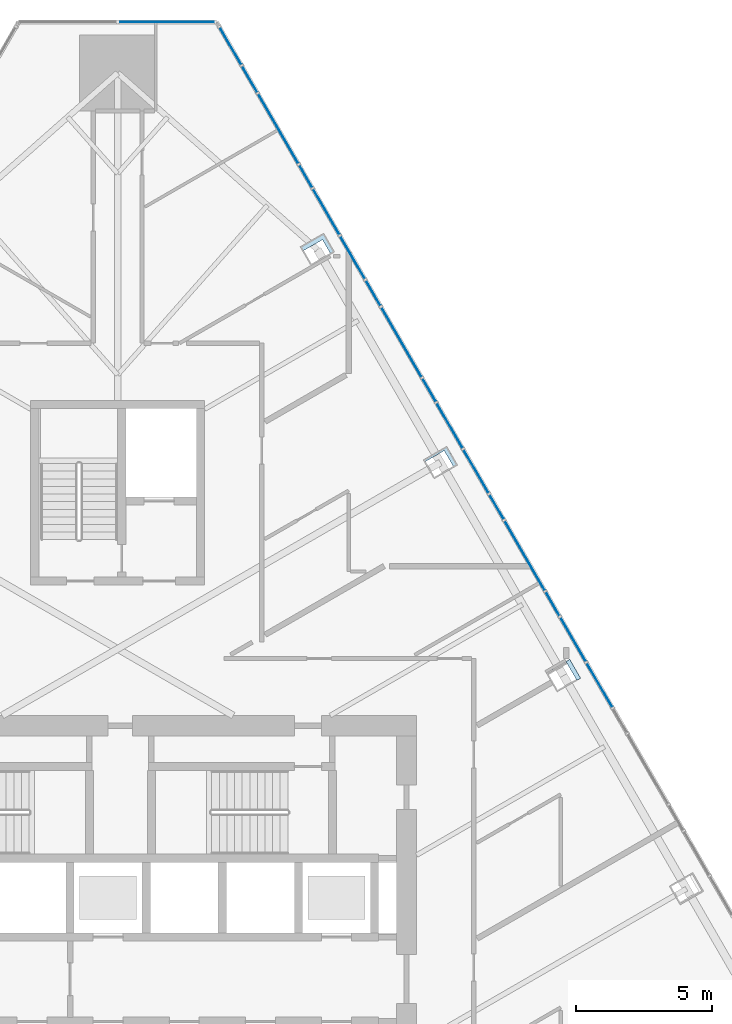
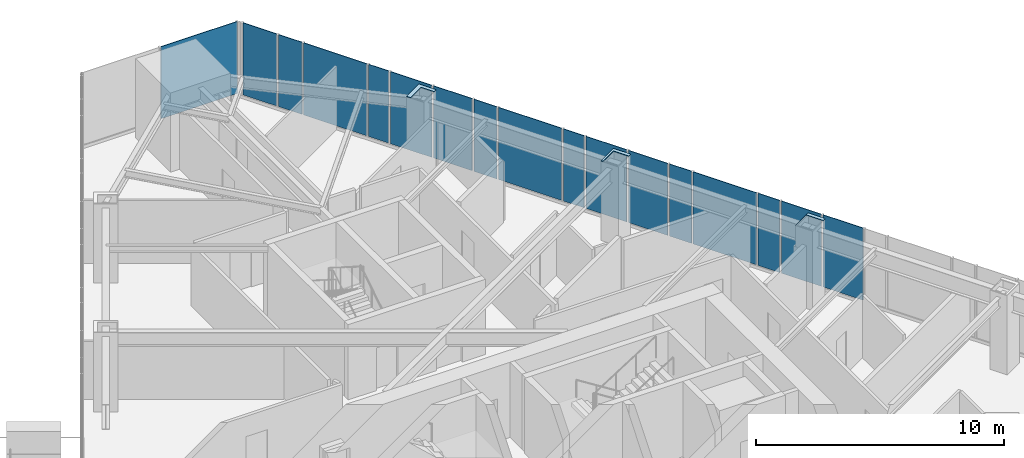
# One storey, part 23 of 32: 20 plates, 2 elements without a shape of their own.
"""IFC4 building model written with IfcOpenShell, lengths in metres."""

from ifc_helpers import new_model, si_unit, direction, frame, origin, place, context, subcontext, project, spatial, polyline, outline, extrude, material, layer, layer_set, type_object, element, aggregate, save


model = new_model("IFC4")

# Units and contexts
model_context = context("Model", 3, precision=1e-05, world=origin(), true_north=direction((0.0, 1.0)))
body_context = subcontext(model_context, "Body", "Model", "MODEL_VIEW")
ifc_project = project(units=[si_unit("LENGTHUNIT", "METRE"), si_unit("AREAUNIT", "SQUARE_METRE"), si_unit("VOLUMEUNIT", "CUBIC_METRE"), si_unit("PLANEANGLEUNIT", "RADIAN"), si_unit("MASSUNIT", "GRAM", prefix="KILO")], contexts=[model_context])

# Site, building, storey
site_placement = place(None, origin())
site = spatial("IfcSite", under=ifc_project, at=site_placement, CompositionType="ELEMENT")
building_placement = place(site_placement, origin())
building = spatial("IfcBuilding", under=site, at=building_placement, Name="Firuza Gate Tower and Library", CompositionType="ELEMENT")
storey_placement = place(building_placement, frame((0.0, 0.0, 163.60009765625)))
storey = spatial("IfcBuildingStorey", under=building, at=storey_placement, Name="L37", CompositionType="ELEMENT", Elevation=163.60009765625)

# Plates
ifc_material_1 = material(Name="Steel S355", Category="steel")
ifc_layer_1 = layer(ifc_material_1, 0.030029296875)
ifc_layer_set_1 = layer_set([ifc_layer_1], Name="Column infill plate 30 Steel S355")
plate_type_1 = type_object("IfcPlateType", Name="Column infill plate 30 Steel S355", PredefinedType="SHEET", material=ifc_layer_set_1)
placement_1 = place(storey_placement, frame((0.0, 0.0, 3.89990234375)))
element("IfcPlate", 1, at=placement_1, inside=storey, type_object=plate_type_1, Name="Infill plate L37:E3", PredefinedType="SHEET", context=body_context, shape_type="SweptSolid", body=[
    extrude(outline(polyline([(90.7685546875, 84.56591796875), (90.7685546875, 84.56591796875), (91.49658203125, 84.986083984375), (91.896484375, 84.293212890625), (92.03466796875, 84.373046875), (91.634521484375, 85.06591796875), (90.7685546875, 84.56591796875)])), origin(), (0.0, 0.0, 1.0), 0.030029296875),
])
element("IfcPlate", 2, at=placement_1, inside=storey, type_object=plate_type_1, Name="Infill plate L37:E4", PredefinedType="SHEET", context=body_context, shape_type="SweptSolid", body=[
    extrude(outline(polyline([(86.241455078125, 92.40673828125), (86.28759765625, 92.3271484375), (87.015625, 92.747314453125), (87.369384765625, 92.13427734375), (87.507568359375, 92.214111328125), (87.107666015625, 92.90673828125), (86.241455078125, 92.40673828125)])), origin(), (0.0, 0.0, 1.0), 0.030029296875),
])
element("IfcPlate", 3, at=placement_1, inside=storey, type_object=plate_type_1, Name="Infill plate L37:E5", PredefinedType="SHEET", context=body_context, shape_type="SweptSolid", body=[
    extrude(outline(polyline([(81.714599609375, 100.247802734375), (81.806640625, 100.08837890625), (82.53466796875, 100.508544921875), (82.842529296875, 99.975341796875), (82.98046875, 100.054931640625), (82.58056640625, 100.747802734375), (81.714599609375, 100.247802734375)])), origin(), (0.0, 0.0, 1.0), 0.030029296875),
])

# Curtain wall, plate
ifc_material_2 = material(Name="Aluminium 6063-T6", Category="aluminium")
ifc_layer_2 = layer(ifc_material_2, 0.14990234375)
ifc_layer_set_2 = layer_set([ifc_layer_2], Name="Corner curtain wall, chamfers")
curtain_wall_type_1 = type_object("IfcCurtainWallType", Name="Corner curtain wall, chamfers", PredefinedType="NOTDEFINED", material=ifc_layer_set_2)
placement_2 = place(storey_placement, origin())
curtain_wall_1 = element("IfcCurtainWall", 4, at=placement_2, inside=storey, type_object=curtain_wall_type_1, Name="CW4 L37 N corner", PredefinedType="NOTDEFINED")
ifc_material_3 = material(Name="Fritted glass", Category="glass")
ifc_layer_3 = layer(ifc_material_3, 0.030029296875)
ifc_layer_set_3 = layer_set([ifc_layer_3], Name="Fritted glass unit, corners")
plate_type_2 = type_object("IfcPlateType", Name="Fritted glass unit, corners", PredefinedType="CURTAIN_PANEL", material=ifc_layer_set_3)
plate_4_placement = place(storey_placement, frame((78.603271484375, 108.532470703125, 0.14990234375), z_axis=(0.0, 1.0, 0.0), x_axis=(-1.0, 0.0, 0.0)))
plate_4 = element("IfcPlate", 5, at=plate_4_placement, type_object=plate_type_2, Name="Glass unit", PredefinedType="CURTAIN_PANEL", context=body_context, shape_type="SweptSolid", body=[
    extrude(outline(polyline([(0.0, 0.0), (3.563232421875, 0.0), (3.563232421875, 3.550048828125), (0.0, 3.550048828125), (0.0, 0.0)])), origin(), (0.0, 0.0, -1.0), 0.030029296875),
])
aggregate(curtain_wall_1, [plate_4])

# Curtain wall, plates
ifc_material_4 = material(Name="Aluminium 6063-T6", Category="aluminium")
ifc_layer_4 = layer(ifc_material_4, 0.14990234375)
ifc_layer_set_4 = layer_set([ifc_layer_4], Name="Unitised curtain wall, hotel")
curtain_wall_type_2 = type_object("IfcCurtainWallType", Name="Unitised curtain wall, hotel", PredefinedType="NOTDEFINED", material=ifc_layer_set_4)
curtain_wall_2 = element("IfcCurtainWall", 6, at=placement_2, inside=storey, type_object=curtain_wall_type_2, Name="CW2 L37 E face", PredefinedType="NOTDEFINED")
ifc_material_5 = material(Name="Fritted glass", Category="glass")
ifc_layer_5 = layer(ifc_material_5, 0.030029296875)
ifc_layer_set_5 = layer_set([ifc_layer_5], Name="Fritted glass unit, hotel")
plate_type_3 = type_object("IfcPlateType", Name="Fritted glass unit, hotel", PredefinedType="CURTAIN_PANEL", material=ifc_layer_set_5)
plate_5_placement = place(storey_placement, frame((93.209716796875, 83.317626953125, 0.14990234375), z_axis=(0.865982457891, 0.500074377092, 0.0), x_axis=(-0.500074377092, 0.865982457891, 0.0)))
plate_5 = element("IfcPlate", 7, at=plate_5_placement, type_object=plate_type_3, Name="Glass unit", PredefinedType="CURTAIN_PANEL", context=body_context, shape_type="SweptSolid", body=[
    extrude(outline(polyline([(0.0, 0.0), (1.8615394944605232, 0.0), (1.8615394944605232, 3.550048828125), (0.0, 3.550048828125), (0.0, 0.0)])), origin(), (0.0, 0.0, -1.0), 0.030029296875),
])
plate_6_placement = place(storey_placement, frame((92.239013671875, 84.9990234375, 0.14990234375), z_axis=(0.865982457891, 0.500074377092, 0.0), x_axis=(-0.500074377092, 0.865982457891, 0.0)))
plate_6 = element("IfcPlate", 8, at=plate_6_placement, type_object=plate_type_3, Name="Glass unit", PredefinedType="CURTAIN_PANEL", context=body_context, shape_type="SweptSolid", body=[
    extrude(outline(polyline([(0.0, 0.0), (1.8615394944605232, 0.0), (1.8615394944605232, 3.550048828125), (0.0, 3.550048828125), (0.0, 0.0)])), origin(), (0.0, 0.0, -1.0), 0.030029296875),
])
plate_7_placement = place(storey_placement, frame((88.65966796875, 91.198486328125, 0.14990234375), z_axis=(0.866001173587, 0.500041965584, 0.0), x_axis=(-0.500041965584, 0.866001173587, 0.0)))
plate_7 = element("IfcPlate", 9, at=plate_7_placement, type_object=plate_type_3, Name="Glass unit", PredefinedType="CURTAIN_PANEL", context=body_context, shape_type="SweptSolid", body=[
    extrude(outline(polyline([(0.0, 0.0), (1.82992453729618, 0.0), (1.82992453729618, 3.550048828125), (0.0, 3.550048828125), (0.0, 0.0)])), origin(), (0.0, 0.0, -1.0), 0.030029296875),
])
plate_8_placement = place(storey_placement, frame((87.70458984375, 92.8525390625, 0.14990234375), z_axis=(0.86602021339, 0.50000898992, 0.0), x_axis=(-0.50000898992, 0.86602021339, 0.0)))
plate_8 = element("IfcPlate", 10, at=plate_8_placement, type_object=plate_type_3, Name="Glass unit", PredefinedType="CURTAIN_PANEL", context=body_context, shape_type="SweptSolid", body=[
    extrude(outline(polyline([(0.0, 0.0), (1.893032369831611, 0.0), (1.893032369831611, 3.550048828125001), (0.0, 3.550048828125001), (0.0, 0.0)])), origin(), (0.0, 0.0, -1.0), 0.030029296875),
])
plate_9_placement = place(storey_placement, frame((84.109619140625, 99.079345703125, 0.14990234375), z_axis=(0.866020546064, 0.500008413725, 0.0), x_axis=(-0.500008413725, 0.866020546064, 0.0)))
plate_9 = element("IfcPlate", 11, at=plate_9_placement, type_object=plate_type_3, Name="Glass unit", PredefinedType="CURTAIN_PANEL", context=body_context, shape_type="SweptSolid", body=[
    extrude(outline(polyline([(0.0, 0.0), (1.7983095827852928, 0.0), (1.7983095827852928, 3.550048828125), (0.0, 3.550048828125), (0.0, 0.0)])), origin(), (0.0, 0.0, -1.0), 0.030029296875),
])
plate_10_placement = place(storey_placement, frame((83.17041015625, 100.7060546875, 0.14990234375), z_axis=(0.86605672853, 0.499945740023, 0.0), x_axis=(-0.499945740023, 0.86605672853, 0.0)))
plate_10 = element("IfcPlate", 12, at=plate_10_placement, type_object=plate_type_3, Name="Glass unit", PredefinedType="CURTAIN_PANEL", context=body_context, shape_type="SweptSolid", body=[
    extrude(outline(polyline([(0.0, 0.0), (1.9245252556415973, 0.0), (1.9245252556415973, 3.550048828125), (0.0, 3.550048828125), (0.0, 0.0)])), origin(), (0.0, 0.0, -1.0), 0.030029296875),
])
plate_11_placement = place(storey_placement, frame((79.5595703125, 106.960205078125, 0.14990234375), z_axis=(0.866077077445, 0.499910487912, 0.0), x_axis=(-0.499910487912, 0.866077077445, 0.0)))
plate_11 = element("IfcPlate", 13, at=plate_11_placement, type_object=plate_type_3, Name="Glass unit", PredefinedType="CURTAIN_PANEL", context=body_context, shape_type="SweptSolid", body=[
    extrude(outline(polyline([(0.0, 0.0), (1.5735238863159609, 0.0), (1.5735238863159609, 3.550048828125), (0.0, 3.550048828125), (0.0, 0.0)])), origin(), (0.0, 0.0, -1.0), 0.030029296875),
])
ifc_material_6 = material(Name="Glazed ceramic tile")
ifc_layer_6 = layer(ifc_material_6, 0.030029296875)
ifc_layer_set_6 = layer_set([ifc_layer_6], Name="Opaque ceramic panel, hotel")
plate_type_4 = type_object("IfcPlateType", Name="Opaque ceramic panel, hotel", PredefinedType="CURTAIN_PANEL", material=ifc_layer_set_6)
plate_12_placement = place(storey_placement, frame((91.26806640625, 86.680419921875, 0.14990234375), z_axis=(0.866104386261, 0.499863173377, 0.0), x_axis=(-0.499863173377, 0.866104386261, 0.0)))
plate_12 = element("IfcPlate", 14, at=plate_12_placement, type_object=plate_type_4, Name="Opaque ceramic panel", PredefinedType="CURTAIN_PANEL", context=body_context, shape_type="SweptSolid", body=[
    extrude(outline(polyline([(0.0, 0.0), (1.001250557964803, 0.0), (1.001250557964803, 3.550048828125), (0.0, 3.550048828125), (0.0, 0.0)])), origin(), (0.0, 0.0, -1.0), 0.030029296875),
])
plate_13_placement = place(storey_placement, frame((90.7275390625, 87.616943359375, 0.14990234375), z_axis=(0.866023947468, 0.500002522405, 0.0), x_axis=(-0.500002522405, 0.866023947468, 0.0)))
plate_13 = element("IfcPlate", 15, at=plate_13_placement, type_object=plate_type_4, Name="Opaque ceramic panel", PredefinedType="CURTAIN_PANEL", context=body_context, shape_type="SweptSolid", body=[
    extrude(outline(polyline([(0.0, 0.0), (2.942856247596896, 0.0), (2.942856247596896, 3.550048828125), (0.0, 3.550048828125), (0.0, 0.0)])), origin(), (0.0, 0.0, -1.0), 0.030029296875),
])
plate_14_placement = place(storey_placement, frame((89.216064453125, 90.234619140625, 0.14990234375), z_axis=(0.866067506982, 0.499927068031, 0.0), x_axis=(-0.499927068031, 0.866067506982, 0.0)))
plate_14 = element("IfcPlate", 16, at=plate_14_placement, type_object=plate_type_4, Name="Opaque ceramic panel", PredefinedType="CURTAIN_PANEL", context=body_context, shape_type="SweptSolid", body=[
    extrude(outline(polyline([(0.0, 0.0), (1.0328655015789612, 0.0), (1.0328655015789612, 3.550048828125), (0.0, 3.550048828125), (0.0, 0.0)])), origin(), (0.0, 0.0, -1.0), 0.030029296875),
])
plate_15_placement = place(storey_placement, frame((86.71826171875, 94.561279296875, 0.14990234375), z_axis=(0.866034661658, 0.49998396455, 0.0), x_axis=(-0.49998396455, 0.866034661658, 0.0)))
plate_15 = element("IfcPlate", 17, at=plate_15_placement, type_object=plate_type_4, Name="Opaque ceramic panel", PredefinedType="CURTAIN_PANEL", context=body_context, shape_type="SweptSolid", body=[
    extrude(outline(polyline([(0.0, 0.0), (0.9697576635008249, 0.0), (0.9697576635008249, 3.550048828125), (0.0, 3.550048828125), (0.0, 0.0)])), origin(), (0.0, 0.0, -1.0), 0.030029296875),
])
plate_16_placement = place(storey_placement, frame((86.193359375, 95.470458984375, 0.14990234375), z_axis=(0.866003204916, 0.500038447598, 0.0), x_axis=(-0.500038447598, 0.866003204916, 0.0)))
plate_16 = element("IfcPlate", 18, at=plate_16_placement, type_object=plate_type_4, Name="Opaque ceramic panel", PredefinedType="CURTAIN_PANEL", context=body_context, shape_type="SweptSolid", body=[
    extrude(outline(polyline([(0.0, 0.0), (2.9426448185010545, 0.0), (2.9426448185010545, 3.550048828125), (0.0, 3.550048828125), (0.0, 0.0)])), origin(), (0.0, 0.0, -1.0), 0.030029296875),
])
plate_17_placement = place(storey_placement, frame((84.681884765625, 98.088134765625, 0.14990234375), z_axis=(0.866032814021, 0.499987164874, 0.0), x_axis=(-0.499987164874, 0.866032814021, 0.0)))
plate_17 = element("IfcPlate", 19, at=plate_17_placement, type_object=plate_type_4, Name="Opaque ceramic panel", PredefinedType="CURTAIN_PANEL", context=body_context, shape_type="SweptSolid", body=[
    extrude(outline(polyline([(0.0, 0.0), (1.064480450480687, 0.0), (1.064480450480687, 3.550048828125), (0.0, 3.550048828125), (0.0, 0.0)])), origin(), (0.0, 0.0, -1.0), 0.030029296875),
])
plate_18_placement = place(storey_placement, frame((82.168212890625, 102.442138671875, 0.14990234375), z_axis=(0.865960237857, 0.500112853714, 0.0), x_axis=(-0.500112853714, 0.865960237857, 0.0)))
plate_18 = element("IfcPlate", 20, at=plate_18_placement, type_object=plate_type_4, Name="Opaque ceramic panel", PredefinedType="CURTAIN_PANEL", context=body_context, shape_type="SweptSolid", body=[
    extrude(outline(polyline([(0.0, 0.0), (0.9382647891669249, 0.0), (0.9382647891669249, 3.550048828125), (0.0, 3.550048828125), (0.0, 0.0)])), origin(), (0.0, 0.0, -1.0), 0.030029296875),
])
plate_19_placement = place(storey_placement, frame((81.6591796875, 103.32373046875, 0.14990234375), z_axis=(0.866023947468, 0.500002522405, 0.0), x_axis=(-0.500002522405, 0.866023947468, 0.0)))
plate_19 = element("IfcPlate", 21, at=plate_19_placement, type_object=plate_type_4, Name="Opaque ceramic panel", PredefinedType="CURTAIN_PANEL", context=body_context, shape_type="SweptSolid", body=[
    extrude(outline(polyline([(0.0, 0.0), (2.942856247596896, 0.0), (2.942856247596896, 3.550048828125), (0.0, 3.550048828125), (0.0, 0.0)])), origin(), (0.0, 0.0, -1.0), 0.030029296875),
])
plate_20_placement = place(storey_placement, frame((80.147705078125, 105.941650390625, 0.14990234375), z_axis=(0.866000118559, 0.500043792738, 0.0), x_axis=(-0.500043792738, 0.866000118559, 0.0)))
plate_20 = element("IfcPlate", 22, at=plate_20_placement, type_object=plate_type_4, Name="Opaque ceramic panel", PredefinedType="CURTAIN_PANEL", context=body_context, shape_type="SweptSolid", body=[
    extrude(outline(polyline([(0.0, 0.0), (1.0960954042124484, 0.0), (1.0960954042124484, 3.550048828125001), (0.0, 3.550048828125001), (0.0, 0.0)])), origin(), (0.0, 0.0, -1.0), 0.030029296875),
])
aggregate(curtain_wall_2, [plate_5, plate_6, plate_12, plate_13, plate_14, plate_7, plate_8, plate_15, plate_16, plate_17, plate_9, plate_10, plate_18, plate_19, plate_20, plate_11])

save(model, "model.ifc")
